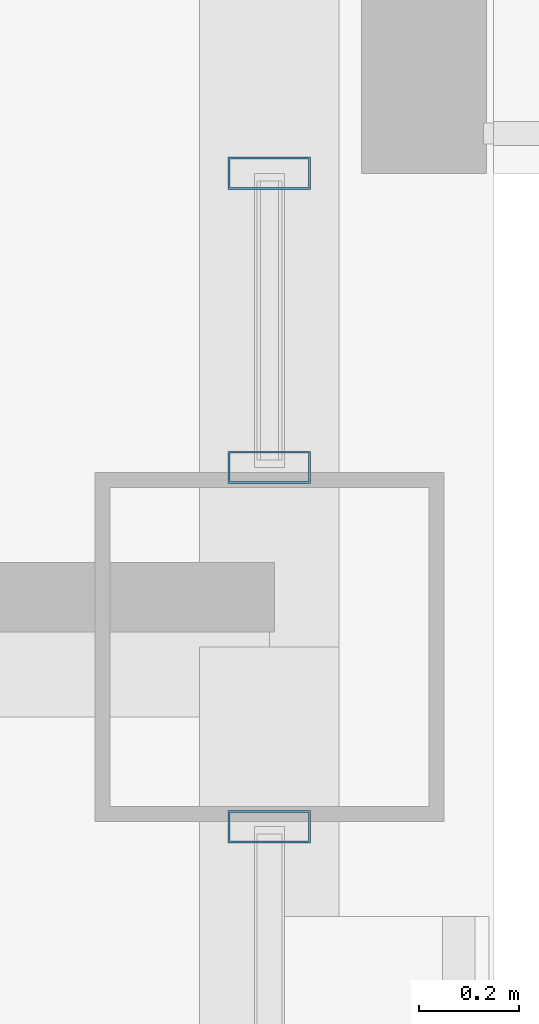
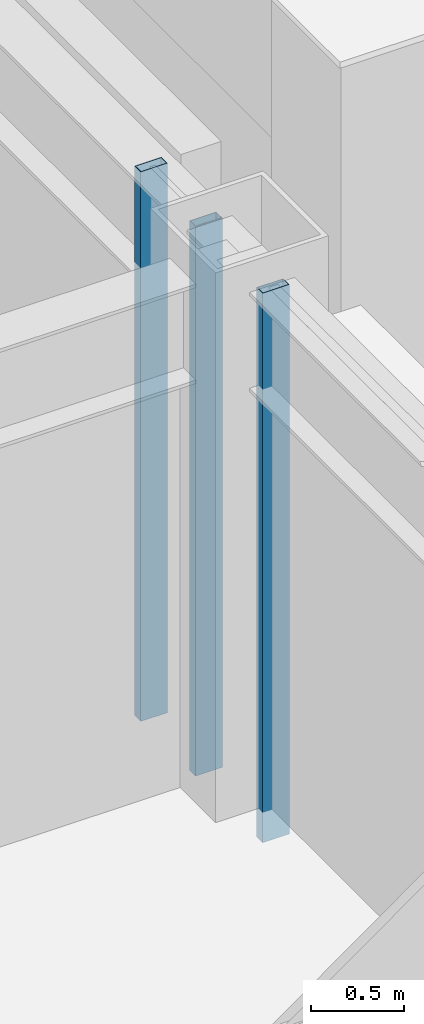
# One storey, part 14 of 28: 3 members, 2 elements without a shape of their own.
"""IFC4 building model written with IfcOpenShell, lengths in metres."""

from ifc_helpers import new_model, si_unit, direction, frame, origin, origin_2d, place, context, subcontext, project, spatial, hollow_rectangle, extrude, material, layer, layer_set, material_profile, profile_set, type_object, element, aggregate, save


model = new_model("IFC4")

# Units and contexts
model_context = context("Model", 3, precision=1e-05, world=origin(), true_north=direction((0.0, 1.0)))
body_context = subcontext(model_context, "Body", "Model", "MODEL_VIEW")
ifc_project = project(units=[si_unit("LENGTHUNIT", "METRE"), si_unit("AREAUNIT", "SQUARE_METRE"), si_unit("VOLUMEUNIT", "CUBIC_METRE"), si_unit("PLANEANGLEUNIT", "RADIAN"), si_unit("MASSUNIT", "GRAM", prefix="KILO")], contexts=[model_context])

# Site, building, storey
site_placement = place(None, origin())
site = spatial("IfcSite", under=ifc_project, at=site_placement, CompositionType="ELEMENT")
building_placement = place(site_placement, origin())
building = spatial("IfcBuilding", under=site, at=building_placement, Name="Brelmoor Portico Tower", CompositionType="ELEMENT")
storey_placement = place(building_placement, frame((0.0, 0.0, 191.10009765625)))
storey = spatial("IfcBuildingStorey", under=building, at=storey_placement, Name="L50", CompositionType="ELEMENT", Elevation=191.10009765625)

# Curtain wall, member
ifc_material = material(Name="Anodised Aluminium Alloy 6063-T6", Category="aluminium")
ifc_layer_1 = layer(ifc_material, 0.179931640625)
ifc_layer_set_1 = layer_set([ifc_layer_1], Name="Anodised Aluminium Alloy 6063-T6")
curtain_wall_type_1 = type_object("IfcCurtainWallType", Name="CW-TOWER-Z3-XB", PredefinedType="NOTDEFINED", material=ifc_layer_set_1)
curtain_wall_1_placement = place(storey_placement, origin())
curtain_wall_1 = element("IfcCurtainWall", 1, at=curtain_wall_1_placement, inside=storey, type_object=curtain_wall_type_1, Name="L50 Curtain Wall CW-L50-4L-1", PredefinedType="NOTDEFINED")
ifc_material_profile = material_profile(ifc_material, hollow_rectangle(XDim=0.06494140625, YDim=0.1650390625, WallThickness=0.00390625, at=origin_2d()), Name="ALU MULLION 65x165")
ifc_profile_set = profile_set([ifc_material_profile], Name="Anodised Aluminium Alloy 6063-T6")
member_type = type_object("IfcMemberType", Name="MB-CW-MULL-165", PredefinedType="MULLION", material=ifc_profile_set)
member_1_placement = place(storey_placement, frame((20.550048828125, -10.110107421875, -0.2001953125), z_axis=(0.0, 0.0, 1.0), x_axis=(0.0, 1.0, 0.0)))
member_1 = element("IfcMember", 2, at=member_1_placement, type_object=member_type, Name="CW-L50-4L-1 Mullion 01", PredefinedType="MULLION", context=body_context, shape_type="SweptSolid", body=[
    extrude(hollow_rectangle(XDim=0.06494140625, YDim=0.1650390625, WallThickness=0.00390625, at=origin_2d()), origin(), (0.0, 0.0, 1.0), 3.60009765625),
])
aggregate(curtain_wall_1, [member_1])

# Curtain wall, members
ifc_layer_2 = layer(ifc_material, 0.179931640625)
ifc_layer_set_2 = layer_set([ifc_layer_2], Name="Anodised Aluminium Alloy 6063-T6")
curtain_wall_type_2 = type_object("IfcCurtainWallType", Name="CW-TOWER-Z3", PredefinedType="NOTDEFINED", material=ifc_layer_set_2)
curtain_wall_2_placement = place(storey_placement, origin())
curtain_wall_2 = element("IfcCurtainWall", 3, at=curtain_wall_2_placement, inside=storey, type_object=curtain_wall_type_2, Name="L50 Curtain Wall CW-L50-4L-2", PredefinedType="NOTDEFINED")
member_2_placement = place(storey_placement, frame((20.550048828125, -9.389892578125, -0.2001953125), z_axis=(0.0, 0.0, 1.0), x_axis=(0.0, 1.0, 0.0)))
member_2 = element("IfcMember", 4, at=member_2_placement, type_object=member_type, Name="CW-L50-4L-2 Mullion 00", PredefinedType="MULLION", context=body_context, shape_type="SweptSolid", body=[
    extrude(hollow_rectangle(XDim=0.06494140625, YDim=0.1650390625, WallThickness=0.00390625, at=origin_2d()), origin(), (0.0, 0.0, 1.0), 3.60009765625),
])
member_3_placement = place(storey_placement, frame((20.550048828125, -8.800048828125, -0.2001953125), z_axis=(0.0, 0.0, 1.0), x_axis=(0.0, 1.0, 0.0)))
member_3 = element("IfcMember", 5, at=member_3_placement, type_object=member_type, Name="CW-L50-4L-2 Mullion 01", PredefinedType="MULLION", context=body_context, shape_type="SweptSolid", body=[
    extrude(hollow_rectangle(XDim=0.06494140625, YDim=0.1650390625, WallThickness=0.00390625, at=origin_2d()), origin(), (0.0, 0.0, 1.0), 3.60009765625),
])
aggregate(curtain_wall_2, [member_2, member_3])

save(model, "model.ifc")
